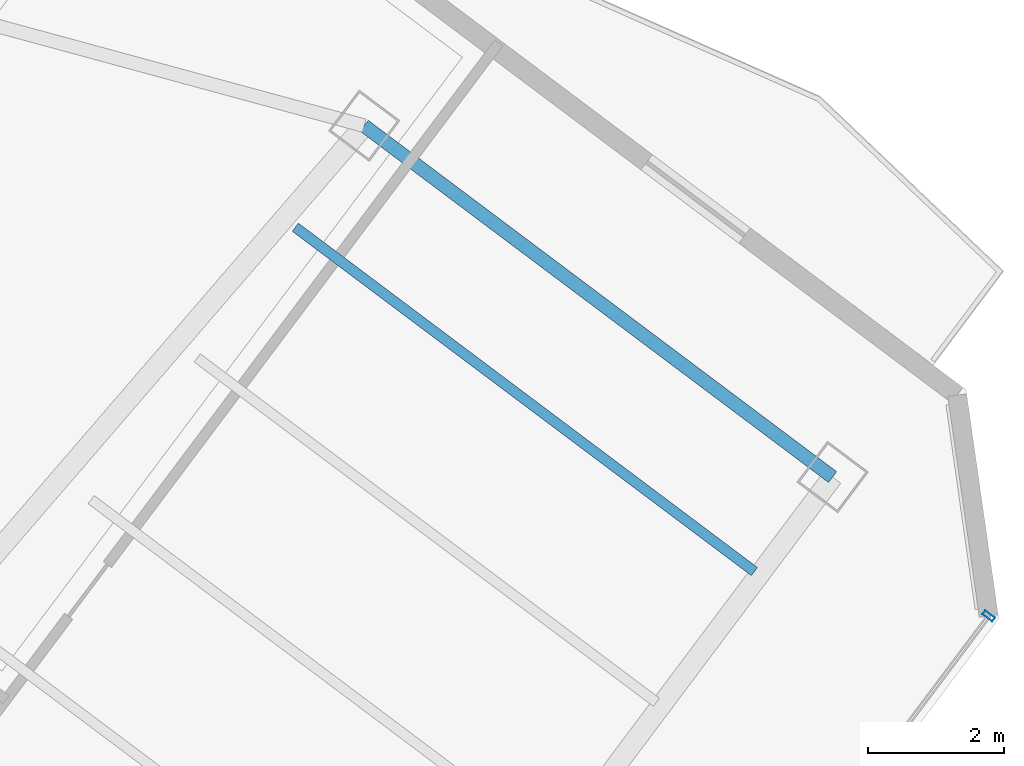
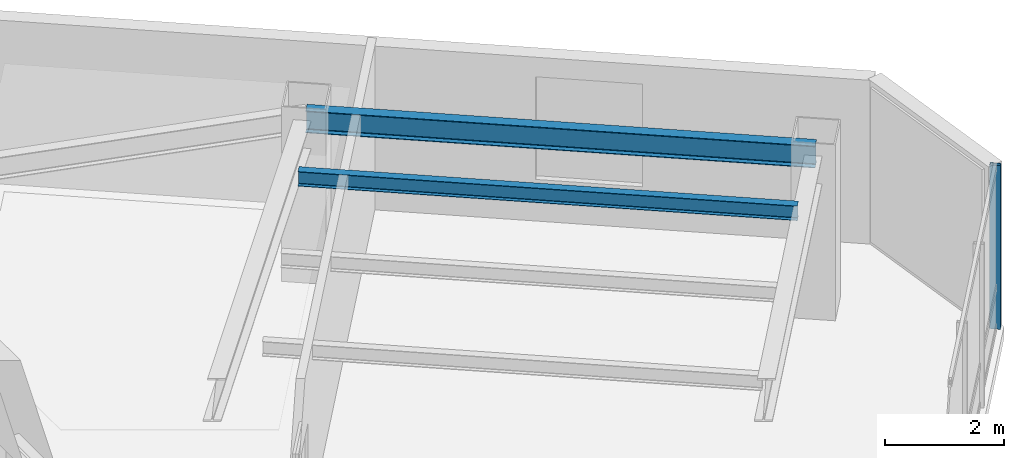
# One storey, part 14 of 25: 2 beams, 1 member, 1 element without a shape of its own.
"""IFC4 building model written with IfcOpenShell, lengths in metres."""

from ifc_helpers import new_model, si_unit, direction, frame, origin, origin_2d, place, context, subcontext, project, spatial, hollow_rectangle, i_section, extrude, material, layer, layer_set, material_profile, profile_set, type_object, element, aggregate, save


model = new_model("IFC4")

# Units and contexts
model_context = context("Model", 3, precision=1e-05, world=origin(), true_north=direction((0.0, 1.0)))
body_context = subcontext(model_context, "Body", "Model", "MODEL_VIEW")
ifc_project = project(units=[si_unit("LENGTHUNIT", "METRE"), si_unit("AREAUNIT", "SQUARE_METRE"), si_unit("VOLUMEUNIT", "CUBIC_METRE"), si_unit("PLANEANGLEUNIT", "RADIAN"), si_unit("MASSUNIT", "GRAM", prefix="KILO")], contexts=[model_context])

# Site, building, storey
site_placement = place(None, origin())
site = spatial("IfcSite", under=ifc_project, at=site_placement, CompositionType="ELEMENT")
building_placement = place(site_placement, origin())
building = spatial("IfcBuilding", under=site, at=building_placement, Name="Hatsunagi Terrace Concourse", CompositionType="ELEMENT")
storey_placement = place(building_placement, frame((0.0, 0.0, 205.949951171875)))
storey = spatial("IfcBuildingStorey", under=building, at=storey_placement, Name="L54", CompositionType="ELEMENT", Elevation=205.949951171875)

# Curtain wall, member
ifc_material_1 = material(Name="Anodised Aluminium Alloy 6063-T5", Category="aluminium")
ifc_layer = layer(ifc_material_1, 0.199951171875)
ifc_layer_set = layer_set([ifc_layer], Name="OfficeZone2_CW04")
curtain_wall_type = type_object("IfcCurtainWallType", Name="OfficeZone2_CW04", PredefinedType="NOTDEFINED", material=ifc_layer_set)
curtain_wall_placement = place(storey_placement, origin())
curtain_wall = element("IfcCurtainWall", 1, at=curtain_wall_placement, inside=storey, type_object=curtain_wall_type, Name="Unitised Curtain Wall CW-04 CW-L54-03", PredefinedType="NOTDEFINED")
ifc_material_2 = material(Name="Anodised Aluminium Alloy 6063-T5", Category="aluminium")
ifc_material_profile_1 = material_profile(ifc_material_2, hollow_rectangle(XDim=0.070068359375, YDim=0.179931640625, WallThickness=0.00390625, at=origin_2d()), Name="ALU-MUL-180x70x4")
ifc_profile_set_1 = profile_set([ifc_material_profile_1], Name="Anodised Aluminium Alloy 6063-T5")
member_type = type_object("IfcMemberType", Name="CurtainWallMullion_180x70", PredefinedType="MULLION", material=ifc_profile_set_1)
member_placement = place(storey_placement, frame((60.693115234375, 25.9580078125, 0.0), z_axis=(0.0, 0.0, 1.0), x_axis=(-0.599969314634, -0.800023013105, 0.0)))
member = element("IfcMember", 2, at=member_placement, type_object=member_type, Name="Curtain Wall Mullion MUL-02", PredefinedType="MULLION", context=body_context, shape_type="SweptSolid", body=[
    extrude(hollow_rectangle(XDim=0.070068359375, YDim=0.179931640625, WallThickness=0.00390625, at=origin_2d()), origin(), (0.0, 0.0, 1.0), 3.35009765625),
])
aggregate(curtain_wall, [member])

# Beams
ifc_material_3 = material(Name="Steel SN490B", Category="steel")
ifc_material_profile_2 = material_profile(ifc_material_3, i_section(OverallWidth=0.14990234375, OverallDepth=0.300048828125, WebThickness=0.006591796875, FlangeThickness=0.009033203125, FilletRadius=0.010986328125, at=origin_2d()), Name="H-300x150x6.5x9")
ifc_profile_set_2 = profile_set([ifc_material_profile_2], Name="Steel SN490B")
beam_type_1 = type_object("IfcBeamType", Name="OfficeJoist_H_300x150", PredefinedType="JOIST", material=ifc_profile_set_2)
beam_1_placement = place(storey_placement, frame((50.508056640625, 31.6689453125, 3.199951171875), z_axis=(0.800003475366, -0.59999536615, 0.0), x_axis=(0.59999536615, 0.800003475366, 0.0)))
element("IfcBeam", 3, at=beam_1_placement, inside=storey, type_object=beam_type_1, Name="Beam J-03 J-L54-SE-2-218", PredefinedType="JOIST", context=body_context, shape_type="SweptSolid", body=[
    extrude(i_section(OverallWidth=0.14990234375, OverallDepth=0.300048828125, WebThickness=0.006591796875, FlangeThickness=0.009033203125, FilletRadius=0.010986328125, at=origin_2d()), origin(), (0.0, 0.0, 1.0), 8.429931640625),
])
ifc_material_4 = material(Name="Steel SN490B", Category="steel")
ifc_material_profile_3 = material_profile(ifc_material_4, i_section(OverallWidth=0.199951171875, OverallDepth=0.449951171875, WebThickness=0.009033203125, FlangeThickness=0.013916015625, FilletRadius=0.01611328125, at=origin_2d()), Name="H-450x200x9x14")
ifc_profile_set_3 = profile_set([ifc_material_profile_3], Name="Steel SN490B")
beam_type_2 = type_object("IfcBeamType", Name="PerimeterSpandrel_H_450x200", PredefinedType="SPANDREL", material=ifc_profile_set_3)
beam_2_placement = place(storey_placement, frame((51.52001953125, 33.159912109375, 3.125), z_axis=(0.8, -0.6, 0.0), x_axis=(0.6, 0.8, 0.0)))
element("IfcBeam", 4, at=beam_2_placement, inside=storey, type_object=beam_type_2, Name="Beam SP-02 BM-L54-SE-NE2", PredefinedType="SPANDREL", context=body_context, shape_type="SweptSolid", body=[
    extrude(i_section(OverallWidth=0.199951171875, OverallDepth=0.449951171875, WebThickness=0.009033203125, FlangeThickness=0.013916015625, FilletRadius=0.01611328125, at=origin_2d()), origin(), (0.0, 0.0, 1.0), 8.599853515625),
])

save(model, "model.ifc")
